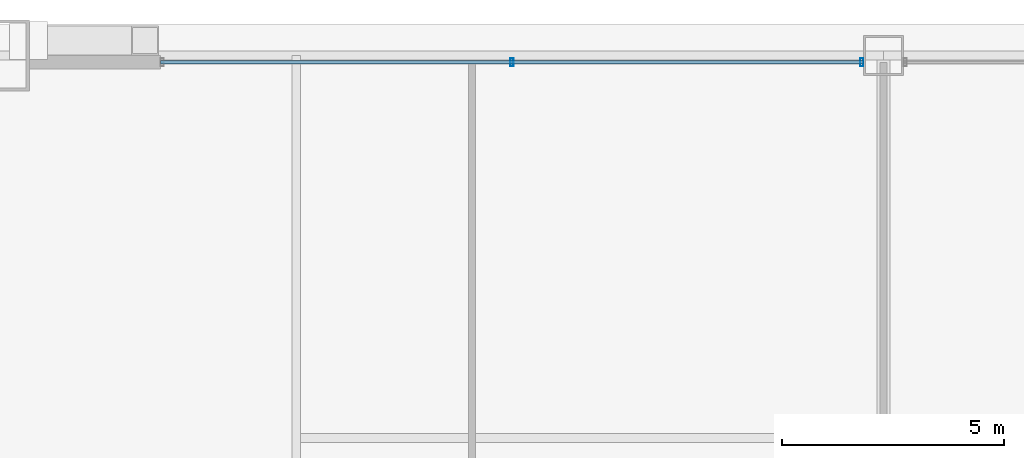
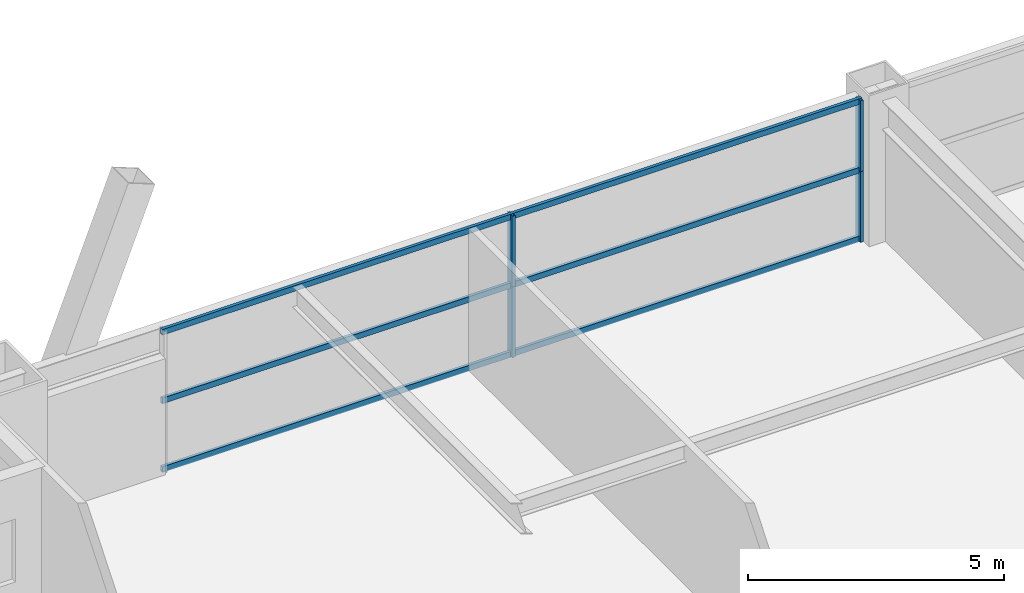
# One storey, part 29 of 43: 7 members, 1 element without a shape of its own.
"""IFC4 building model written with IfcOpenShell, lengths in metres."""

import ifcopenshell
import ifcopenshell.guid

model = None  # the IFC model being written
_history = None  # IfcOwnerHistory: only IFC2X3 demands one
_inside = {}  # id of a spatial element -> (the spatial element, [elements in it])
_under = {}  # id of a project, library or spatial element -> (it, [spatial elements below it])
_declared = {}  # id of a project -> (the project, [libraries it declares])
_typed = {}  # id of a type object -> (the type object, [elements of that type])
_made_of = {}  # id of a material, layer set ... -> (it, [elements and type objects made of it])


def new_model(schema):
    """Start an empty IFC model of exactly this schema.

    Asked for "IFC4X3", IfcOpenShell would pick the latest addendum, in which some entities
    have other attributes; the version numbers below select the first issue.
    IFC2X3 requires an IfcOwnerHistory on every rooted entity: one is made here for all.
    """
    global model, _history
    if schema == "IFC4X3":
        model = ifcopenshell.file(schema_version=(4, 3, 0, 0))
    else:
        model = ifcopenshell.file(schema=schema)
    _inside.clear()
    _under.clear()
    _declared.clear()
    _typed.clear()
    _made_of.clear()
    _history = None
    if model.schema == "IFC2X3":
        org = make("IfcOrganization", Name="unknown")
        user = make(
            "IfcPersonAndOrganization",
            ThePerson=make("IfcPerson", FamilyName="unknown"),
            TheOrganization=org,
        )
        app = make(
            "IfcApplication",
            ApplicationDeveloper=org,
            Version="unknown",
            ApplicationFullName="unknown",
            ApplicationIdentifier="unknown",
        )
        _history = make(
            "IfcOwnerHistory",
            OwningUser=user,
            OwningApplication=app,
            ChangeAction="ADDED",
            CreationDate=0,
        )
    return model


def make(cls, **values):
    """One entity of the class cls with the attributes given. An attribute that is None is left unset."""
    return model.create_entity(
        cls, **{name: value for name, value in values.items() if value is not None}
    )


def rooted(cls, **values):
    """An entity with a GlobalId (a new one), such as an element, a storey or a relation."""
    return make(cls, GlobalId=ifcopenshell.guid.new(), OwnerHistory=_history, **values)


def si_unit(unit_type, name, prefix=None):
    """IfcSIUnit, for example si_unit("LENGTHUNIT", "METRE", prefix="MILLI")."""
    return make("IfcSIUnit", UnitType=unit_type, Prefix=prefix, Name=name)


def assignment(units):
    """IfcUnitAssignment: the units of a project."""
    return None if units is None else make("IfcUnitAssignment", Units=units)


def point(xyz):
    """IfcCartesianPoint."""
    return None if xyz is None else make("IfcCartesianPoint", Coordinates=xyz)


def direction(xyz):
    """IfcDirection."""
    return None if xyz is None else make("IfcDirection", DirectionRatios=xyz)


def frame(location, z_axis=None, x_axis=None):
    """IfcAxis2Placement3D, a coordinate frame: its origin and axes. An axis left out is left unset."""
    return make(
        "IfcAxis2Placement3D",
        Location=point(location),
        Axis=direction(z_axis),
        RefDirection=direction(x_axis),
    )


def frame_2d(location, x_axis=None):
    """IfcAxis2Placement2D, a coordinate frame in the plane: its origin and x axis."""
    return make(
        "IfcAxis2Placement2D", Location=point(location), RefDirection=direction(x_axis)
    )


def origin():
    """The frame at (0, 0, 0) with its axes left unset."""
    return frame((0.0, 0.0, 0.0))


def origin_2d():
    """The frame at (0, 0) in the plane with its x axis left unset."""
    return frame_2d((0.0, 0.0))


def place(relative_to, where):
    """IfcLocalPlacement: puts the frame where relative to a parent placement (None: the world)."""
    return make(
        "IfcLocalPlacement", PlacementRelTo=relative_to, RelativePlacement=where
    )


def context(
    kind, dimensions, precision=None, world=None, true_north=None, identifier=None
):
    """IfcGeometricRepresentationContext, for example the 3D "Model" context."""
    return make(
        "IfcGeometricRepresentationContext",
        ContextIdentifier=identifier,
        ContextType=kind,
        CoordinateSpaceDimension=dimensions,
        Precision=precision,
        WorldCoordinateSystem=world,
        TrueNorth=true_north,
    )


def subcontext(parent, identifier, kind, view, scale=None):
    """IfcGeometricRepresentationSubContext, for example "Body" below "Model"."""
    return make(
        "IfcGeometricRepresentationSubContext",
        ContextIdentifier=identifier,
        ContextType=kind,
        ParentContext=parent,
        TargetScale=scale,
        TargetView=view,
    )


def project(units=None, contexts=None):
    """IfcProject with its units and contexts."""
    return rooted(
        "IfcProject",
        Name="project",
        RepresentationContexts=contexts,
        UnitsInContext=assignment(units),
    )


def spatial(cls, under=None, at=None, **own):
    """A site, building, storey or space (cls), placed at a placement, below another one or the project."""
    s = rooted(cls, ObjectPlacement=at, **own)
    if under is not None:
        _under.setdefault(under.id(), (under, []))[1].append(s)
    return s


def profile(cls, at=None, kind="AREA", **sizes):
    """A parametric profile (cls). Its sizes go by their IFC names, for example OverallWidth=200.0."""
    return make(cls, ProfileType=kind, Position=at, **sizes)


def hollow_rectangle(**sizes):
    """IfcRectangleHollowProfileDef."""
    return profile("IfcRectangleHollowProfileDef", **sizes)


def extrude(swept, where, along, depth):
    """IfcExtrudedAreaSolid: the profile swept, set in the frame where, extruded along a direction by depth."""
    return make(
        "IfcExtrudedAreaSolid",
        SweptArea=swept,
        Position=where,
        ExtrudedDirection=direction(along),
        Depth=depth,
    )


def shape(context_of_items, identifier, shape_type, items):
    """IfcShapeRepresentation: the items that make up one representation, for example the "Body"."""
    return make(
        "IfcShapeRepresentation",
        ContextOfItems=context_of_items,
        RepresentationIdentifier=identifier,
        RepresentationType=shape_type,
        Items=items,
    )


def source(mapping_origin, context_of_items, identifier, shape_type, items):
    """IfcRepresentationMap: a shape defined once, which mapped items show again and again."""
    return make(
        "IfcRepresentationMap",
        MappingOrigin=mapping_origin,
        MappedRepresentation=shape(context_of_items, identifier, shape_type, items),
    )


def transform(
    local_origin,
    x_axis=None,
    y_axis=None,
    z_axis=None,
    scale=None,
    scale2=None,
    scale3=None,
    uniform=True,
):
    """IfcCartesianTransformationOperator3D, or its non-uniform kind. x_axis, y_axis, z_axis: its Axis1, 2, 3."""
    if uniform:
        return make(
            "IfcCartesianTransformationOperator3D",
            Axis1=direction(x_axis),
            Axis2=direction(y_axis),
            LocalOrigin=point(local_origin),
            Scale=scale,
            Axis3=direction(z_axis),
        )
    return make(
        "IfcCartesianTransformationOperator3DnonUniform",
        Axis1=direction(x_axis),
        Axis2=direction(y_axis),
        LocalOrigin=point(local_origin),
        Scale=scale,
        Axis3=direction(z_axis),
        Scale2=scale2,
        Scale3=scale3,
    )


def mapped(mapping_source, mapping_target):
    """IfcMappedItem: shows the shape of a source again, moved by a transform."""
    return make(
        "IfcMappedItem", MappingSource=mapping_source, MappingTarget=mapping_target
    )


def material(Name=None, Category=None):
    """IfcMaterial."""
    return make("IfcMaterial", Name=Name, Category=Category)


def layer(
    of_material, thickness, ventilated=None, Name=None, Category=None, Priority=None
):
    """IfcMaterialLayer: one layer of a wall or slab, of a material (None: an air gap)."""
    return make(
        "IfcMaterialLayer",
        Material=of_material,
        LayerThickness=thickness,
        IsVentilated=ventilated,
        Name=Name,
        Category=Category,
        Priority=Priority,
    )


def layer_set(layers, Name=None):
    """IfcMaterialLayerSet."""
    return make("IfcMaterialLayerSet", MaterialLayers=layers, LayerSetName=Name)


def material_profile(
    of_material, cross_section, Name=None, Category=None, Priority=None
):
    """IfcMaterialProfile: a cross section and its material."""
    return make(
        "IfcMaterialProfile",
        Name=Name,
        Material=of_material,
        Profile=cross_section,
        Priority=Priority,
        Category=Category,
    )


def profile_set(profiles, Name=None, composite=None):
    """IfcMaterialProfileSet."""
    return make(
        "IfcMaterialProfileSet",
        Name=Name,
        MaterialProfiles=profiles,
        CompositeProfile=composite,
    )


def made_of(thing, what):
    """Note that an element or type object is made of a material, layer set ...; save() writes the relation."""
    if what is not None:
        _made_of.setdefault(what.id(), (what, []))[1].append(thing)
    return thing


def type_object(cls, material=None, **own):
    """A type object (cls), such as IfcWallType, which elements share."""
    return made_of(rooted(cls, **own), material)


def element(
    cls,
    number,
    at=None,
    inside=None,
    cuts=None,
    type_object=None,
    material=None,
    context=None,
    identifier="Body",
    shape_type=None,
    held_by="IfcProductDefinitionShape",
    body=None,
    shapes=None,
    **own,
):
    """One element of the class cls, such as IfcWall. Its Tag is "e" and its number.

    at: its placement. inside: the storey or other place that contains it. cuts: it is an
    opening in that element (IfcRelVoidsElement). A single representation is given by context,
    identifier, shape_type and body (its items); several are given by shapes. held_by: the class
    of the entity that holds the representations. save() writes the other relations.
    """
    e = rooted(cls, Tag="e%d" % number, ObjectPlacement=at, **own)
    if body is not None:
        shapes = [shape(context, identifier, shape_type, body)]
    if shapes is not None:
        e.Representation = make(held_by, Representations=shapes)
    if inside is not None:
        _inside.setdefault(inside.id(), (inside, []))[1].append(e)
    if cuts is not None:
        rooted(
            "IfcRelVoidsElement", RelatingBuildingElement=cuts, RelatedOpeningElement=e
        )
    if type_object is not None:
        _typed.setdefault(type_object.id(), (type_object, []))[1].append(e)
    return made_of(e, material)


def aggregate(whole, parts):
    """IfcRelAggregates: a whole, such as a stair, and the parts it consists of."""
    return rooted("IfcRelAggregates", RelatingObject=whole, RelatedObjects=parts)


def save(model, path):
    """Write the relations noted so far, then the file.

    IfcRelAggregates (storeys below a building ...), IfcRelContainedInSpatialStructure (elements
    in a storey), IfcRelDefinesByType, IfcRelAssociatesMaterial and IfcRelDeclares: one each for
    every whole, place, type object, material and project.
    """
    for whole, parts in _under.values():
        aggregate(whole, parts)
    for where, things in _inside.values():
        rooted(
            "IfcRelContainedInSpatialStructure",
            RelatedElements=things,
            RelatingStructure=where,
        )
    for kind, things in _typed.values():
        rooted("IfcRelDefinesByType", RelatedObjects=things, RelatingType=kind)
    for what, things in _made_of.values():
        rooted("IfcRelAssociatesMaterial", RelatedObjects=things, RelatingMaterial=what)
    for by, libraries in _declared.values():
        rooted("IfcRelDeclares", RelatingContext=by, RelatedDefinitions=libraries)
    model.write(path)


model = new_model("IFC4")

# Units and contexts
model_context = context("Model", 3, precision=1e-05, world=origin(), true_north=direction((0.0, 1.0)))
body_context = subcontext(model_context, "Body", "Model", "MODEL_VIEW")
ifc_project = project(units=[si_unit("LENGTHUNIT", "METRE"), si_unit("AREAUNIT", "SQUARE_METRE"), si_unit("VOLUMEUNIT", "CUBIC_METRE"), si_unit("PLANEANGLEUNIT", "RADIAN"), si_unit("MASSUNIT", "GRAM", prefix="KILO"), si_unit("THERMODYNAMICTEMPERATUREUNIT", "KELVIN"), si_unit("POWERUNIT", "WATT")], contexts=[model_context])

# Site, building, storey
site_placement = place(None, origin())
site = spatial("IfcSite", under=ifc_project, at=site_placement, CompositionType="ELEMENT")
building_placement = place(site_placement, origin())
building = spatial("IfcBuilding", under=site, at=building_placement, Name="Yuzanri Waterfront Tower", CompositionType="ELEMENT")
storey_placement = place(building_placement, frame((0.0, 0.0, 101.0)))
storey = spatial("IfcBuildingStorey", under=building, at=storey_placement, Name="L26", CompositionType="ELEMENT", Elevation=101.0)

# Curtain wall, members
ifc_material_1 = material(Name="Anodized Architectural Bronze", Category="metal")
ifc_layer = layer(ifc_material_1, 0.159912109375)
ifc_layer_set = layer_set([ifc_layer], Name="Anodized Architectural Bronze")
curtain_wall_type = type_object("IfcCurtainWallType", Name="Anodized Bronze Hotel Upper-Tier Solar-Control Unitized Curtain Wall 7800", PredefinedType="NOTDEFINED", material=ifc_layer_set)
curtain_wall_placement = place(storey_placement, origin())
curtain_wall = element("IfcCurtainWall", 1, at=curtain_wall_placement, inside=storey, type_object=curtain_wall_type, Name="L26 Curtain Wall CW-L26-NL", PredefinedType="NOTDEFINED")
ifc_material_2 = material(Name="Anodized Architectural Bronze", Category="metal")
ifc_material_profile_1 = material_profile(ifc_material_2, hollow_rectangle(XDim=0.070068359375, YDim=0.179931640625, WallThickness=0.00390625, at=origin_2d()), Name="CWM 70x180")
ifc_profile_set_1 = profile_set([ifc_material_profile_1], Name="Anodized Architectural Bronze")
member_type_1 = type_object("IfcMemberType", Name="Anodized Bronze Standard Curtain-Wall Mullion 70x180", PredefinedType="MULLION", material=ifc_profile_set_1)
shared_shape_1 = source(origin(), body_context, "Body", "SweptSolid", [
    extrude(hollow_rectangle(XDim=0.070068359375, YDim=0.179931640625, WallThickness=0.00390625, at=origin_2d()), origin(), (0.0, 0.0, 1.0), 1.68798828125),
])
member_1_placement = place(storey_placement, frame((28.64990234375, 49.25, 0.0), z_axis=(0.0, 0.0, 1.0), x_axis=(1.0, 0.0, 0.0)))
member_1 = element("IfcMember", 2, at=member_1_placement, type_object=member_type_1, Name="CW-L26-NL Lower Mullion 01", PredefinedType="MULLION", context=body_context, shape_type="MappedRepresentation", body=[
    mapped(shared_shape_1, transform((0.0, 0.0, 0.0), scale=1.0)),
])
member_2_placement = place(storey_placement, frame((28.64990234375, 49.25, 1.69189453125), z_axis=(0.0, 0.0, 1.0), x_axis=(1.0, 0.0, 0.0)))
member_2 = element("IfcMember", 3, at=member_2_placement, type_object=member_type_1, Name="CW-L26-NL Upper Mullion 01", PredefinedType="MULLION", context=body_context, shape_type="MappedRepresentation", body=[
    mapped(shared_shape_1, transform((0.0, 0.0, 0.0), scale=1.0)),
])
member_3_placement = place(storey_placement, frame((36.510009765625, 49.25, 0.0), z_axis=(0.0, 0.0, 1.0), x_axis=(1.0, 0.0, 0.0)))
member_3 = element("IfcMember", 4, at=member_3_placement, type_object=member_type_1, Name="CW-L26-NL Lower Mullion 02", PredefinedType="MULLION", context=body_context, shape_type="MappedRepresentation", body=[
    mapped(shared_shape_1, transform((0.0, 0.0, 0.0), scale=1.0)),
])
member_4_placement = place(storey_placement, frame((36.510009765625, 49.25, 1.69189453125), z_axis=(0.0, 0.0, 1.0), x_axis=(1.0, 0.0, 0.0)))
member_4 = element("IfcMember", 5, at=member_4_placement, type_object=member_type_1, Name="CW-L26-NL Upper Mullion 02", PredefinedType="MULLION", context=body_context, shape_type="MappedRepresentation", body=[
    mapped(shared_shape_1, transform((0.0, 0.0, 0.0), scale=1.0)),
])
ifc_material_3 = material(Name="Anodized Architectural Bronze", Category="metal")
ifc_material_profile_2 = material_profile(ifc_material_3, hollow_rectangle(XDim=0.070068359375, YDim=0.135009765625, WallThickness=0.00341796875, at=origin_2d()), Name="CWT 70x135")
ifc_profile_set_2 = profile_set([ifc_material_profile_2], Name="Anodized Architectural Bronze")
member_type_2 = type_object("IfcMemberType", Name="Anodized Bronze Standard Curtain-Wall Transom 70x135", PredefinedType="USERDEFINED", material=ifc_profile_set_2)
shared_shape_2 = source(origin(), body_context, "Body", "SweptSolid", [
    extrude(hollow_rectangle(XDim=0.070068359375, YDim=0.135009765625, WallThickness=0.00341796875, at=origin_2d()), origin(), (0.0, 0.0, 1.0), 15.800048828125),
])
member_5_placement = place(storey_placement, frame((20.75, 49.25, 0.050048828125), z_axis=(1.0, 0.0, 0.0), x_axis=(0.0, 1.0, 0.0)))
member_5 = element("IfcMember", 6, at=member_5_placement, type_object=member_type_2, Name="CW-L26-NL Transom 1", ObjectType="TRANSOM", PredefinedType="USERDEFINED", context=body_context, shape_type="MappedRepresentation", body=[
    mapped(shared_shape_2, transform((0.0, 0.0, 0.0), scale=1.0)),
])
member_6_placement = place(storey_placement, frame((20.75, 49.25, 1.68994140625), z_axis=(1.0, 0.0, 0.0), x_axis=(0.0, 1.0, 0.0)))
member_6 = element("IfcMember", 7, at=member_6_placement, type_object=member_type_2, Name="CW-L26-NL Transom 2", ObjectType="TRANSOM", PredefinedType="USERDEFINED", context=body_context, shape_type="MappedRepresentation", body=[
    mapped(shared_shape_2, transform((0.0, 0.0, 0.0), scale=1.0)),
])
member_7_placement = place(storey_placement, frame((20.75, 49.25, 3.330078125), z_axis=(1.0, 0.0, 0.0), x_axis=(0.0, 1.0, 0.0)))
member_7 = element("IfcMember", 8, at=member_7_placement, type_object=member_type_2, Name="CW-L26-NL Transom 3", ObjectType="TRANSOM", PredefinedType="USERDEFINED", context=body_context, shape_type="MappedRepresentation", body=[
    mapped(shared_shape_2, transform((0.0, 0.0, 0.0), scale=1.0)),
])
aggregate(curtain_wall, [member_1, member_2, member_3, member_4, member_5, member_6, member_7])

save(model, "model.ifc")
